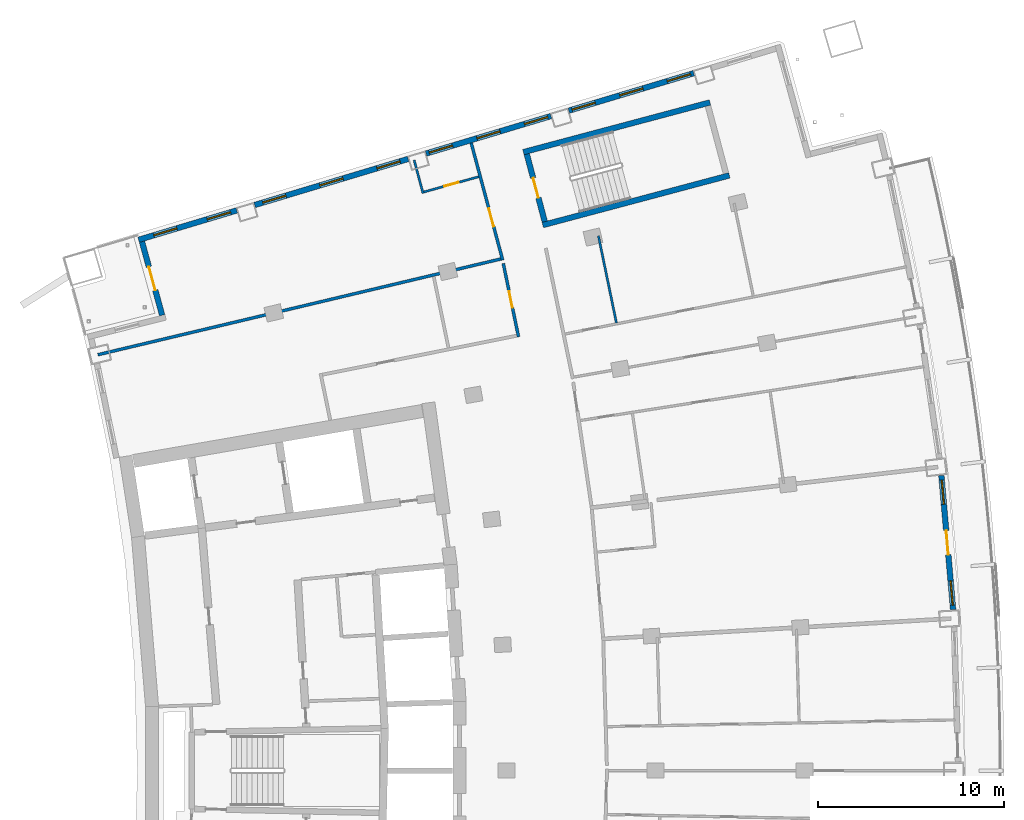
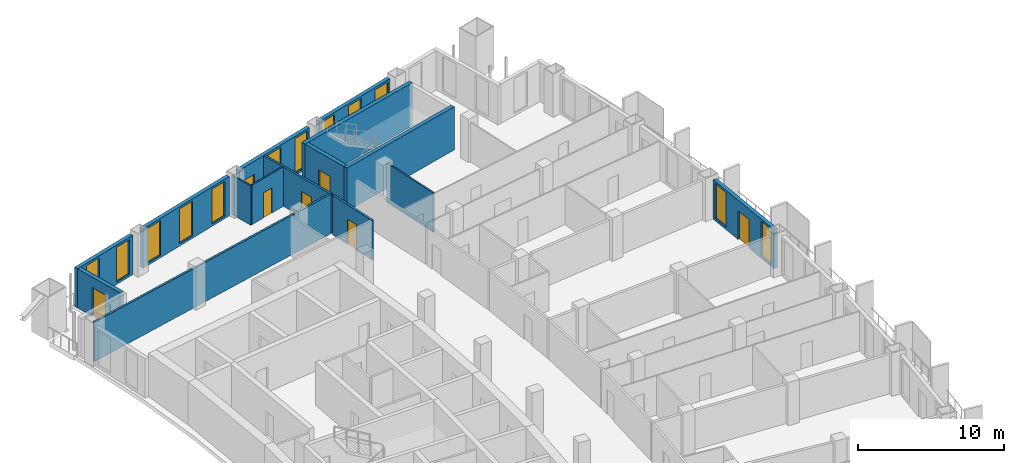
# One storey, part 15 of 20: 15 walls, 13 windows, 6 doors, 19 openings.
"""IFC4 building model written with IfcOpenShell, lengths in metres."""

from ifc_helpers import new_model, si_unit, direction, frame, frame_2d, origin, place, context, subcontext, project, spatial, rectangle, extrude, material, layer, layer_set, type_object, element, fill, save


model = new_model("IFC4")

# Units and contexts
model_context = context("Model", 3, precision=1e-05, world=origin(), true_north=direction((0.0, 1.0)))
body_context = subcontext(model_context, "Body", "Model", "MODEL_VIEW")
ifc_project = project(units=[si_unit("LENGTHUNIT", "METRE"), si_unit("AREAUNIT", "SQUARE_METRE"), si_unit("VOLUMEUNIT", "CUBIC_METRE"), si_unit("PLANEANGLEUNIT", "RADIAN"), si_unit("MASSUNIT", "GRAM", prefix="KILO")], contexts=[model_context])

# Site, building, storey
site_placement = place(None, origin())
site = spatial("IfcSite", under=ifc_project, at=site_placement, CompositionType="ELEMENT")
building_placement = place(site_placement, origin())
building = spatial("IfcBuilding", under=site, at=building_placement, Name="Alderwake Tower", CompositionType="ELEMENT")
storey_placement = place(building_placement, frame((0.0, 0.0, 153.199951171875)))
storey = spatial("IfcBuildingStorey", under=building, at=storey_placement, Name="L37", CompositionType="ELEMENT", Elevation=153.199951171875)

# Walls
ifc_material_1 = material(Name="Concrete C70/85", Category="concrete")
ifc_layer_1 = layer(ifc_material_1, 0.300048828125)
ifc_layer_set_1 = layer_set([ifc_layer_1], Name="Core wall stair enclosure 300 C70-85")
wall_type_1 = type_object("IfcWallType", Name="Core wall stair enclosure 300 C70-85", PredefinedType="SHEAR", material=ifc_layer_set_1)
for number, where, z_axis, x_axis, name in (
    (1, (36.71142578125, 94.182373046875, 0.0), (0.0, 0.0, 1.0), (0.966309214305, 0.257383958996, 0.0), "Core wall CW.082"),
    (2, (37.75390625, 90.268798828125, 0.0), (0.0, 0.0, 1.0), (0.966309214305, 0.257383958996, 0.0), "Core wall CW.084"),
):
    element("IfcWall", number, at=place(storey_placement, frame(where, z_axis=z_axis, x_axis=x_axis)), inside=storey, type_object=wall_type_1, Name=name, PredefinedType="SHEAR", context=body_context, shape_type="SweptSolid", body=[
        extrude(rectangle(XDim=10.360107421875, YDim=0.300048828125, at=frame_2d((5.18017578125, 0.0))), origin(), (0.0, 0.0, 1.0), 3.60009765625),
    ])

# Wall, opening, door
wall_1_placement = place(storey_placement, frame((37.8603515625, 90.452392578125, 0.0), z_axis=(0.0, 0.0, 1.0), x_axis=(-0.257411420208, 0.966301899381, 0.0)))
wall_1 = element("IfcWall", 3, at=wall_1_placement, inside=storey, type_object=wall_type_1, Name="Core wall CW.083", PredefinedType="SHEAR", context=body_context, shape_type="SweptSolid", body=[
    extrude(rectangle(XDim=3.750244140625, YDim=0.300048828125, at=frame_2d((1.875, 0.0))), origin(), (0.0, 0.0, 1.0), 3.60009765625),
])
opening_1_placement = place(wall_1_placement, frame((1.324951171875, 0.0, 0.0)))
opening_1 = element("IfcOpeningElement", 4, at=opening_1_placement, cuts=wall_1, Name="Opening C062", PredefinedType="OPENING", context=body_context, shape_type="SweptSolid", body=[
    extrude(rectangle(XDim=1.10009765625, YDim=2.10009765625, at=frame_2d((0.550048828125, 1.050048828125))), frame((0.0, 0.159912109375, 0.0), z_axis=(0.0, -1.0, 0.0), x_axis=(1.0, 0.0, 0.0)), (0.0, 0.0, 1.0), 0.320068359375),
])
ifc_material_2 = material(Name="Steel-framed fire door leaf", Category="steel")
door_type_1 = type_object("IfcDoorType", Name="Core stair door 1100 fire-rated", OperationType="SINGLE_SWING_LEFT", PredefinedType="DOOR", material=ifc_material_2)
door_1_placement = place(opening_1_placement, origin())
door_1 = element("IfcDoor", 5, at=door_1_placement, inside=storey, type_object=door_type_1, Name="Stair door", OperationType="SINGLE_SWING_RIGHT", OverallHeight=2.10009765625, OverallWidth=1.10009765625, PredefinedType="DOOR", context=body_context, shape_type="SweptSolid", body=[
    extrude(rectangle(XDim=1.10009765625, YDim=2.10009765625, at=frame_2d((0.550048828125, 1.050048828125))), frame((0.0, 0.02490234375, 0.0), z_axis=(0.0, -1.0, 0.0), x_axis=(1.0, 0.0, 0.0)), (0.0, 0.0, 1.0), 0.050048828125),
])
fill(opening_1, door_1)

ifc_material_3 = material(Name="Gypsum board on metal studs, rated")
ifc_layer_2 = layer(ifc_material_3, 0.159912109375)
ifc_layer_set_2 = layer_set([ifc_layer_2], Name="Corridor wall 160")
wall_type_2 = type_object("IfcWallType", Name="Corridor wall 160", PredefinedType="PARTITIONING", material=ifc_layer_set_2)
wall_2_placement = place(storey_placement, frame((35.600830078125, 88.392578125, 0.0), z_axis=(0.0, 0.0, 1.0), x_axis=(-0.259509260101, 0.965740619381, 0.0)))
wall_2 = element("IfcWall", 6, at=wall_2_placement, inside=storey, type_object=wall_type_2, Name="WL/L37/W15", PredefinedType="PARTITIONING", context=body_context, shape_type="SweptSolid", body=[
    extrude(rectangle(XDim=6.50732421875, YDim=0.159912109375, at=frame_2d((3.253662109375, 0.0))), origin(), (0.0, 0.0, 1.0), 3.280029296875),
])
opening_2_placement = place(wall_2_placement, frame((1.865478515625, 0.0, 0.0)))
opening_2 = element("IfcOpeningElement", 7, at=opening_2_placement, cuts=wall_2, Name="Opening R10-U09.1", PredefinedType="OPENING", context=body_context, shape_type="SweptSolid", body=[
    extrude(rectangle(XDim=1.0, YDim=2.10009765625, at=frame_2d((0.5, 1.050048828125))), frame((0.0, 0.08984375, 0.0), z_axis=(0.0, -1.0, 0.0), x_axis=(1.0, 0.0, 0.0)), (0.0, 0.0, 1.0), 0.179931640625),
])
ifc_material_4 = material(Name="Solid timber leaf in steel frame", Category="steel")
door_type_2 = type_object("IfcDoorType", Name="Flat entrance door 1000 fire-rated", OperationType="SINGLE_SWING_LEFT", PredefinedType="DOOR", material=ifc_material_4)
door_2_placement = place(opening_2_placement, origin())
door_2 = element("IfcDoor", 8, at=door_2_placement, inside=storey, type_object=door_type_2, Name="DR/L37/U09.1", OperationType="SINGLE_SWING_LEFT", OverallHeight=2.10009765625, OverallWidth=1.0, PredefinedType="DOOR", context=body_context, shape_type="SweptSolid", body=[
    extrude(rectangle(XDim=1.0, YDim=2.10009765625, at=frame_2d((0.5, 1.050048828125))), frame((0.0, 0.02490234375, 0.0), z_axis=(0.0, -1.0, 0.0), x_axis=(1.0, 0.0, 0.0)), (0.0, 0.0, 1.0), 0.050048828125),
])
fill(opening_2, door_2)

# Wall
wall_3_placement = place(storey_placement, frame((35.502197265625, 88.451416015625, 0.0), z_axis=(0.0, 0.0, 1.0), x_axis=(-0.972894913244, -0.231247676278, 0.0)))
element("IfcWall", 9, at=wall_3_placement, inside=storey, type_object=wall_type_2, Name="WL/L37/W17", PredefinedType="PARTITIONING", context=body_context, shape_type="SweptSolid", body=[
    extrude(rectangle(XDim=22.220458984375, YDim=0.159912109375, at=frame_2d((11.1103515625, 0.0))), origin(), (0.0, 0.0, 1.0), 3.280029296875),
])

# Wall, opening, door
wall_4_placement = place(storey_placement, frame((36.451416015625, 84.272705078125, 0.0), z_axis=(0.0, 0.0, 1.0), x_axis=(-0.203258199701, 0.979125172924, 0.0)))
wall_4 = element("IfcWall", 10, at=wall_4_placement, inside=storey, type_object=wall_type_2, Name="WL/L37/W18", PredefinedType="PARTITIONING", context=body_context, shape_type="SweptSolid", body=[
    extrude(rectangle(XDim=4.020263671875, YDim=0.159912109375, at=frame_2d((2.01025390625, 0.0))), origin(), (0.0, 0.0, 1.0), 3.280029296875),
])
opening_3_placement = place(wall_4_placement, frame((1.599609375, 0.0, 0.0)))
opening_3 = element("IfcOpeningElement", 11, at=opening_3_placement, cuts=wall_4, Name="Opening R10-SBN2", PredefinedType="OPENING", context=body_context, shape_type="SweptSolid", body=[
    extrude(rectangle(XDim=0.89990234375, YDim=2.10009765625, at=frame_2d((0.449951171875, 1.050048828125))), frame((0.0, 0.08984375, 0.0), z_axis=(0.0, -1.0, 0.0), x_axis=(1.0, 0.0, 0.0)), (0.0, 0.0, 1.0), 0.179931640625),
])
ifc_material_5 = material(Name="Painted timber leaf", Category="wood")
door_type_3 = type_object("IfcDoorType", Name="Room door 900", OperationType="SINGLE_SWING_LEFT", PredefinedType="DOOR", material=ifc_material_5)
door_3_placement = place(opening_3_placement, origin())
door_3 = element("IfcDoor", 12, at=door_3_placement, inside=storey, type_object=door_type_3, Name="DR/L37/SBN2", OperationType="SINGLE_SWING_LEFT", OverallHeight=2.10009765625, OverallWidth=0.89990234375, PredefinedType="DOOR", context=body_context, shape_type="SweptSolid", body=[
    extrude(rectangle(XDim=0.89990234375, YDim=2.10009765625, at=frame_2d((0.449951171875, 1.050048828125))), frame((0.0, 0.02490234375, 0.0), z_axis=(0.0, -1.0, 0.0), x_axis=(1.0, 0.0, 0.0)), (0.0, 0.0, 1.0), 0.050048828125),
])
fill(opening_3, door_3)

# Wall, openings, door, windows
ifc_material_6 = material(Name="Precast concrete C50/60 spandrel panel", Category="concrete")
ifc_layer_3 = layer(ifc_material_6, 0.300048828125)
ifc_layer_set_3 = layer_set([ifc_layer_3], Name="External wall EW1 Precast concrete C50/60 spandrel")
wall_type_3 = type_object("IfcWallType", Name="External wall EW1 Precast concrete C50/60 spandrel", PredefinedType="SOLIDWALL", material=ifc_layer_set_3)
wall_5_placement = place(storey_placement, frame((59.7705078125, 69.63623046875, 0.0), z_axis=(0.0, 0.0, 1.0), x_axis=(-0.087383747715, 0.996174723949, 0.0)))
wall_5 = element("IfcWall", 13, at=wall_5_placement, inside=storey, type_object=wall_type_3, Name="External wall 17", PredefinedType="SOLIDWALL", context=body_context, shape_type="SweptSolid", body=[
    extrude(rectangle(XDim=7.22216796875, YDim=0.300048828125, at=frame_2d((3.611083984375, 0.0))), origin(), (0.0, 0.0, 1.0), 3.280029296875),
])
opening_4_placement = place(wall_5_placement, frame((0.2431640625, 0.0, 0.199951171875)))
opening_4 = element("IfcOpeningElement", 14, at=opening_4_placement, cuts=wall_5, Name="Opening W1", PredefinedType="OPENING", context=body_context, shape_type="SweptSolid", body=[
    extrude(rectangle(XDim=1.300048828125, YDim=2.89990234375, at=frame_2d((0.64990234375, 1.449951171875))), frame((0.0, 0.159912109375, 0.0), z_axis=(0.0, -1.0, 0.0), x_axis=(1.0, 0.0, 0.0)), (0.0, 0.0, 1.0), 0.320068359375),
])
opening_5_placement = place(wall_5_placement, frame((2.9609375, 0.0, 0.0)))
opening_5 = element("IfcOpeningElement", 15, at=opening_5_placement, cuts=wall_5, Name="Opening D06", PredefinedType="OPENING", context=body_context, shape_type="SweptSolid", body=[
    extrude(rectangle(XDim=1.300048828125, YDim=2.39990234375, at=frame_2d((0.64990234375, 1.199951171875))), frame((0.0, 0.159912109375, 0.0), z_axis=(0.0, -1.0, 0.0), x_axis=(1.0, 0.0, 0.0)), (0.0, 0.0, 1.0), 0.320068359375),
])
opening_6_placement = place(wall_5_placement, frame((5.678955078125, 0.0, 0.199951171875)))
opening_6 = element("IfcOpeningElement", 16, at=opening_6_placement, cuts=wall_5, Name="Opening W1", PredefinedType="OPENING", context=body_context, shape_type="SweptSolid", body=[
    extrude(rectangle(XDim=1.300048828125, YDim=2.89990234375, at=frame_2d((0.64990234375, 1.449951171875))), frame((0.0, 0.159912109375, 0.0), z_axis=(0.0, -1.0, 0.0), x_axis=(1.0, 0.0, 0.0)), (0.0, 0.0, 1.0), 0.320068359375),
])
ifc_material_7 = material(Name="Bronze tinted glass in aluminium frame", Category="aluminium")
door_type_4 = type_object("IfcDoorType", Name="Balcony door BD sliding", OperationType="SLIDING_TO_LEFT", PredefinedType="DOOR", material=ifc_material_7)
door_4_placement = place(opening_5_placement, origin())
door_4 = element("IfcDoor", 17, at=door_4_placement, inside=storey, type_object=door_type_4, Name="Door D06", OperationType="SLIDING_TO_LEFT", OverallHeight=2.39990234375, OverallWidth=1.300048828125, PredefinedType="DOOR", context=body_context, shape_type="SweptSolid", body=[
    extrude(rectangle(XDim=1.300048828125, YDim=2.39990234375, at=frame_2d((0.64990234375, 1.199951171875))), frame((0.0, 0.02490234375, 0.0), z_axis=(0.0, -1.0, 0.0), x_axis=(1.0, 0.0, 0.0)), (0.0, 0.0, 1.0), 0.050048828125),
])
fill(opening_5, door_4)
ifc_material_8 = material(Name="Bronze tinted glass in aluminium frame", Category="aluminium")
window_type_1 = type_object("IfcWindowType", Name="Window W1 tall fixed and vent", PartitioningType="DOUBLE_PANEL_VERTICAL", PredefinedType="WINDOW", material=ifc_material_8)
window_1_placement = place(opening_4_placement, origin())
window_1 = element("IfcWindow", 18, at=window_1_placement, inside=storey, type_object=window_type_1, Name="Window W1 tall fixed and vent", OverallHeight=2.89990234375, OverallWidth=1.300048828125, PartitioningType="DOUBLE_PANEL_VERTICAL", PredefinedType="WINDOW", context=body_context, shape_type="SweptSolid", body=[
    extrude(rectangle(XDim=1.300048828125, YDim=2.89990234375, at=frame_2d((0.64990234375, 1.449951171875))), frame((0.0, 0.030029296875, 0.0), z_axis=(0.0, -1.0, 0.0), x_axis=(1.0, 0.0, 0.0)), (0.0, 0.0, 1.0), 0.06005859375),
])
fill(opening_4, window_1)
window_2_placement = place(opening_6_placement, origin())
window_2 = element("IfcWindow", 19, at=window_2_placement, inside=storey, type_object=window_type_1, Name="Window W1 tall fixed and vent", OverallHeight=2.89990234375, OverallWidth=1.300048828125, PartitioningType="DOUBLE_PANEL_VERTICAL", PredefinedType="WINDOW", context=body_context, shape_type="SweptSolid", body=[
    extrude(rectangle(XDim=1.300048828125, YDim=2.89990234375, at=frame_2d((0.64990234375, 1.449951171875))), frame((0.0, 0.030029296875, 0.0), z_axis=(0.0, -1.0, 0.0), x_axis=(1.0, 0.0, 0.0)), (0.0, 0.0, 1.0), 0.06005859375),
])
fill(opening_6, window_2)

# Wall, openings, windows
ifc_material_9 = material(Name="Bronze metal cladding on lightweight framing")
ifc_layer_4 = layer(ifc_material_9, 0.300048828125)
ifc_layer_set_4 = layer_set([ifc_layer_4], Name="External wall EW2 bronze metal cladding")
wall_type_4 = type_object("IfcWallType", Name="External wall EW2 bronze metal cladding", PredefinedType="SOLIDWALL", material=ifc_layer_set_4)
wall_6_placement = place(storey_placement, frame((45.852294921875, 98.4189453125, 0.0), z_axis=(0.0, 0.0, 1.0), x_axis=(-0.957766716661, -0.287546372706, 0.0)))
wall_6 = element("IfcWall", 20, at=wall_6_placement, inside=storey, type_object=wall_type_4, Name="External wall 24", PredefinedType="SOLIDWALL", context=body_context, shape_type="SweptSolid", body=[
    extrude(rectangle(XDim=6.99609375, YDim=0.300048828125, at=frame_2d((3.498046875, 0.0))), origin(), (0.0, 0.0, 1.0), 3.280029296875),
])
opening_7_placement = place(wall_6_placement, frame((0.181396484375, 0.0, 0.199951171875)))
opening_7 = element("IfcOpeningElement", 21, at=opening_7_placement, cuts=wall_6, Name="Opening W1", PredefinedType="OPENING", context=body_context, shape_type="SweptSolid", body=[
    extrude(rectangle(XDim=1.300048828125, YDim=2.89990234375, at=frame_2d((0.64990234375, 1.449951171875))), frame((0.0, 0.159912109375, 0.0), z_axis=(0.0, -1.0, 0.0), x_axis=(1.0, 0.0, 0.0)), (0.0, 0.0, 1.0), 0.320068359375),
])
opening_8_placement = place(wall_6_placement, frame((2.84814453125, 0.0, 0.199951171875)))
opening_8 = element("IfcOpeningElement", 22, at=opening_8_placement, cuts=wall_6, Name="Opening W1", PredefinedType="OPENING", context=body_context, shape_type="SweptSolid", body=[
    extrude(rectangle(XDim=1.300048828125, YDim=2.89990234375, at=frame_2d((0.64990234375, 1.449951171875))), frame((0.0, 0.159912109375, 0.0), z_axis=(0.0, -1.0, 0.0), x_axis=(1.0, 0.0, 0.0)), (0.0, 0.0, 1.0), 0.320068359375),
])
opening_9_placement = place(wall_6_placement, frame((5.514892578125, 0.0, 0.199951171875)))
opening_9 = element("IfcOpeningElement", 23, at=opening_9_placement, cuts=wall_6, Name="Opening W1", PredefinedType="OPENING", context=body_context, shape_type="SweptSolid", body=[
    extrude(rectangle(XDim=1.300048828125, YDim=2.89990234375, at=frame_2d((0.64990234375, 1.449951171875))), frame((0.0, 0.159912109375, 0.0), z_axis=(0.0, -1.0, 0.0), x_axis=(1.0, 0.0, 0.0)), (0.0, 0.0, 1.0), 0.320068359375),
])
window_3_placement = place(opening_7_placement, origin())
window_3 = element("IfcWindow", 24, at=window_3_placement, inside=storey, type_object=window_type_1, Name="Window W1 tall fixed and vent", OverallHeight=2.89990234375, OverallWidth=1.300048828125, PartitioningType="DOUBLE_PANEL_VERTICAL", PredefinedType="WINDOW", context=body_context, shape_type="SweptSolid", body=[
    extrude(rectangle(XDim=1.300048828125, YDim=2.89990234375, at=frame_2d((0.64990234375, 1.449951171875))), frame((0.0, 0.030029296875, 0.0), z_axis=(0.0, -1.0, 0.0), x_axis=(1.0, 0.0, 0.0)), (0.0, 0.0, 1.0), 0.06005859375),
])
fill(opening_7, window_3)
window_4_placement = place(opening_8_placement, origin())
window_4 = element("IfcWindow", 25, at=window_4_placement, inside=storey, type_object=window_type_1, Name="Window W1 tall fixed and vent", OverallHeight=2.89990234375, OverallWidth=1.300048828125, PartitioningType="DOUBLE_PANEL_VERTICAL", PredefinedType="WINDOW", context=body_context, shape_type="SweptSolid", body=[
    extrude(rectangle(XDim=1.300048828125, YDim=2.89990234375, at=frame_2d((0.64990234375, 1.449951171875))), frame((0.0, 0.030029296875, 0.0), z_axis=(0.0, -1.0, 0.0), x_axis=(1.0, 0.0, 0.0)), (0.0, 0.0, 1.0), 0.06005859375),
])
fill(opening_8, window_4)
window_5_placement = place(opening_9_placement, origin())
window_5 = element("IfcWindow", 26, at=window_5_placement, inside=storey, type_object=window_type_1, Name="Window W1 tall fixed and vent", OverallHeight=2.89990234375, OverallWidth=1.300048828125, PartitioningType="DOUBLE_PANEL_VERTICAL", PredefinedType="WINDOW", context=body_context, shape_type="SweptSolid", body=[
    extrude(rectangle(XDim=1.300048828125, YDim=2.89990234375, at=frame_2d((0.64990234375, 1.449951171875))), frame((0.0, 0.030029296875, 0.0), z_axis=(0.0, -1.0, 0.0), x_axis=(1.0, 0.0, 0.0)), (0.0, 0.0, 1.0), 0.06005859375),
])
fill(opening_9, window_5)

wall_7_placement = place(storey_placement, frame((38.18994140625, 96.11865234375, 0.0), z_axis=(0.0, 0.0, 1.0), x_axis=(-0.957757105671, -0.287578383292, 0.0)))
wall_7 = element("IfcWall", 27, at=wall_7_placement, inside=storey, type_object=wall_type_4, Name="External wall 25", PredefinedType="SOLIDWALL", context=body_context, shape_type="SweptSolid", body=[
    extrude(rectangle(XDim=6.996337890625, YDim=0.300048828125, at=frame_2d((3.498046875, 0.0))), origin(), (0.0, 0.0, 1.0), 3.280029296875),
])
opening_10_placement = place(wall_7_placement, frame((0.181396484375, 0.0, 0.199951171875)))
opening_10 = element("IfcOpeningElement", 28, at=opening_10_placement, cuts=wall_7, Name="Opening W1", PredefinedType="OPENING", context=body_context, shape_type="SweptSolid", body=[
    extrude(rectangle(XDim=1.300048828125, YDim=2.89990234375, at=frame_2d((0.64990234375, 1.449951171875))), frame((0.0, 0.159912109375, 0.0), z_axis=(0.0, -1.0, 0.0), x_axis=(1.0, 0.0, 0.0)), (0.0, 0.0, 1.0), 0.320068359375),
])
opening_11_placement = place(wall_7_placement, frame((2.84814453125, 0.0, 0.199951171875)))
opening_11 = element("IfcOpeningElement", 29, at=opening_11_placement, cuts=wall_7, Name="Opening W1", PredefinedType="OPENING", context=body_context, shape_type="SweptSolid", body=[
    extrude(rectangle(XDim=1.300048828125, YDim=2.89990234375, at=frame_2d((0.64990234375, 1.449951171875))), frame((0.0, 0.159912109375, 0.0), z_axis=(0.0, -1.0, 0.0), x_axis=(1.0, 0.0, 0.0)), (0.0, 0.0, 1.0), 0.320068359375),
])
opening_12_placement = place(wall_7_placement, frame((5.514892578125, 0.0, 1.0)))
opening_12 = element("IfcOpeningElement", 30, at=opening_12_placement, cuts=wall_7, Name="Opening W2", PredefinedType="OPENING", context=body_context, shape_type="SweptSolid", body=[
    extrude(rectangle(XDim=1.300048828125, YDim=1.199951171875, at=frame_2d((0.64990234375, 0.60009765625))), frame((0.0, 0.159912109375, 0.0), z_axis=(0.0, -1.0, 0.0), x_axis=(1.0, 0.0, 0.0)), (0.0, 0.0, 1.0), 0.320068359375),
])
window_6_placement = place(opening_10_placement, origin())
window_6 = element("IfcWindow", 31, at=window_6_placement, inside=storey, type_object=window_type_1, Name="Window W1 tall fixed and vent", OverallHeight=2.89990234375, OverallWidth=1.300048828125, PartitioningType="DOUBLE_PANEL_VERTICAL", PredefinedType="WINDOW", context=body_context, shape_type="SweptSolid", body=[
    extrude(rectangle(XDim=1.300048828125, YDim=2.89990234375, at=frame_2d((0.64990234375, 1.449951171875))), frame((0.0, 0.030029296875, 0.0), z_axis=(0.0, -1.0, 0.0), x_axis=(1.0, 0.0, 0.0)), (0.0, 0.0, 1.0), 0.06005859375),
])
fill(opening_10, window_6)
window_7_placement = place(opening_11_placement, origin())
window_7 = element("IfcWindow", 32, at=window_7_placement, inside=storey, type_object=window_type_1, Name="Window W1 tall fixed and vent", OverallHeight=2.89990234375, OverallWidth=1.300048828125, PartitioningType="DOUBLE_PANEL_VERTICAL", PredefinedType="WINDOW", context=body_context, shape_type="SweptSolid", body=[
    extrude(rectangle(XDim=1.300048828125, YDim=2.89990234375, at=frame_2d((0.64990234375, 1.449951171875))), frame((0.0, 0.030029296875, 0.0), z_axis=(0.0, -1.0, 0.0), x_axis=(1.0, 0.0, 0.0)), (0.0, 0.0, 1.0), 0.06005859375),
])
fill(opening_11, window_7)
ifc_material_10 = material(Name="Bronze tinted glass in aluminium frame", Category="aluminium")
window_type_2 = type_object("IfcWindowType", Name="Window W2 kitchen and bath", PartitioningType="SINGLE_PANEL", PredefinedType="WINDOW", material=ifc_material_10)
window_8_placement = place(opening_12_placement, origin())
window_8 = element("IfcWindow", 33, at=window_8_placement, inside=storey, type_object=window_type_2, Name="Window W2 kitchen and bath", OverallHeight=1.199951171875, OverallWidth=1.300048828125, PartitioningType="SINGLE_PANEL", PredefinedType="WINDOW", context=body_context, shape_type="SweptSolid", body=[
    extrude(rectangle(XDim=1.300048828125, YDim=1.199951171875, at=frame_2d((0.64990234375, 0.60009765625))), frame((0.0, 0.030029296875, 0.0), z_axis=(0.0, -1.0, 0.0), x_axis=(1.0, 0.0, 0.0)), (0.0, 0.0, 1.0), 0.06005859375),
])
fill(opening_12, window_8)

wall_8_placement = place(storey_placement, frame((30.527587890625, 93.818115234375, 0.0), z_axis=(0.0, 0.0, 1.0), x_axis=(-0.957768419769, -0.287540699891, 0.0)))
wall_8 = element("IfcWall", 34, at=wall_8_placement, inside=storey, type_object=wall_type_4, Name="External wall 26", PredefinedType="SOLIDWALL", context=body_context, shape_type="SweptSolid", body=[
    extrude(rectangle(XDim=8.595947265625, YDim=0.300048828125, at=frame_2d((4.2978515625, 0.0))), origin(), (0.0, 0.0, 1.0), 3.280029296875),
])
opening_13_placement = place(wall_8_placement, frame((0.447998046875, 0.0, 0.199951171875)))
opening_13 = element("IfcOpeningElement", 35, at=opening_13_placement, cuts=wall_8, Name="Opening W1", PredefinedType="OPENING", context=body_context, shape_type="SweptSolid", body=[
    extrude(rectangle(XDim=1.300048828125, YDim=2.89990234375, at=frame_2d((0.64990234375, 1.449951171875))), frame((0.0, 0.159912109375, 0.0), z_axis=(0.0, -1.0, 0.0), x_axis=(1.0, 0.0, 0.0)), (0.0, 0.0, 1.0), 0.320068359375),
])
opening_14_placement = place(wall_8_placement, frame((3.64794921875, 0.0, 0.199951171875)))
opening_14 = element("IfcOpeningElement", 36, at=opening_14_placement, cuts=wall_8, Name="Opening W1", PredefinedType="OPENING", context=body_context, shape_type="SweptSolid", body=[
    extrude(rectangle(XDim=1.300048828125, YDim=2.89990234375, at=frame_2d((0.64990234375, 1.449951171875))), frame((0.0, 0.159912109375, 0.0), z_axis=(0.0, -1.0, 0.0), x_axis=(1.0, 0.0, 0.0)), (0.0, 0.0, 1.0), 0.320068359375),
])
opening_15_placement = place(wall_8_placement, frame((6.84814453125, 0.0, 0.199951171875)))
opening_15 = element("IfcOpeningElement", 37, at=opening_15_placement, cuts=wall_8, Name="Opening W1", PredefinedType="OPENING", context=body_context, shape_type="SweptSolid", body=[
    extrude(rectangle(XDim=1.300048828125, YDim=2.89990234375, at=frame_2d((0.64990234375, 1.449951171875))), frame((0.0, 0.159912109375, 0.0), z_axis=(0.0, -1.0, 0.0), x_axis=(1.0, 0.0, 0.0)), (0.0, 0.0, 1.0), 0.320068359375),
])
window_9_placement = place(opening_13_placement, origin())
window_9 = element("IfcWindow", 38, at=window_9_placement, inside=storey, type_object=window_type_1, Name="Window W1 tall fixed and vent", OverallHeight=2.89990234375, OverallWidth=1.300048828125, PartitioningType="DOUBLE_PANEL_VERTICAL", PredefinedType="WINDOW", context=body_context, shape_type="SweptSolid", body=[
    extrude(rectangle(XDim=1.300048828125, YDim=2.89990234375, at=frame_2d((0.64990234375, 1.449951171875))), frame((0.0, 0.030029296875, 0.0), z_axis=(0.0, -1.0, 0.0), x_axis=(1.0, 0.0, 0.0)), (0.0, 0.0, 1.0), 0.06005859375),
])
fill(opening_13, window_9)
window_10_placement = place(opening_14_placement, origin())
window_10 = element("IfcWindow", 39, at=window_10_placement, inside=storey, type_object=window_type_1, Name="Window W1 tall fixed and vent", OverallHeight=2.89990234375, OverallWidth=1.300048828125, PartitioningType="DOUBLE_PANEL_VERTICAL", PredefinedType="WINDOW", context=body_context, shape_type="SweptSolid", body=[
    extrude(rectangle(XDim=1.300048828125, YDim=2.89990234375, at=frame_2d((0.64990234375, 1.449951171875))), frame((0.0, 0.030029296875, 0.0), z_axis=(0.0, -1.0, 0.0), x_axis=(1.0, 0.0, 0.0)), (0.0, 0.0, 1.0), 0.06005859375),
])
fill(opening_14, window_10)
window_11_placement = place(opening_15_placement, origin())
window_11 = element("IfcWindow", 40, at=window_11_placement, inside=storey, type_object=window_type_1, Name="Window W1 tall fixed and vent", OverallHeight=2.89990234375, OverallWidth=1.300048828125, PartitioningType="DOUBLE_PANEL_VERTICAL", PredefinedType="WINDOW", context=body_context, shape_type="SweptSolid", body=[
    extrude(rectangle(XDim=1.300048828125, YDim=2.89990234375, at=frame_2d((0.64990234375, 1.449951171875))), frame((0.0, 0.030029296875, 0.0), z_axis=(0.0, -1.0, 0.0), x_axis=(1.0, 0.0, 0.0)), (0.0, 0.0, 1.0), 0.06005859375),
])
fill(opening_15, window_11)

wall_9_placement = place(storey_placement, frame((21.332763671875, 91.0576171875, 0.0), z_axis=(0.0, 0.0, 1.0), x_axis=(-0.957767615614, -0.287543378434, 0.0)))
wall_9 = element("IfcWall", 41, at=wall_9_placement, inside=storey, type_object=wall_type_4, Name="External wall 27", PredefinedType="SOLIDWALL", context=body_context, shape_type="SweptSolid", body=[
    extrude(rectangle(XDim=5.499267578125, YDim=0.300048828125, at=frame_2d((2.74951171875, 0.0))), origin(), (0.0, 0.0, 1.0), 3.280029296875),
])
opening_16_placement = place(wall_9_placement, frame((0.34814453125, 0.0, 0.199951171875)))
opening_16 = element("IfcOpeningElement", 42, at=opening_16_placement, cuts=wall_9, Name="Opening W1", PredefinedType="OPENING", context=body_context, shape_type="SweptSolid", body=[
    extrude(rectangle(XDim=1.300048828125, YDim=2.89990234375, at=frame_2d((0.64990234375, 1.449951171875))), frame((0.0, 0.159912109375, 0.0), z_axis=(0.0, -1.0, 0.0), x_axis=(1.0, 0.0, 0.0)), (0.0, 0.0, 1.0), 0.320068359375),
])
opening_17_placement = place(wall_9_placement, frame((3.34912109375, 0.0, 0.199951171875)))
opening_17 = element("IfcOpeningElement", 43, at=opening_17_placement, cuts=wall_9, Name="Opening W1", PredefinedType="OPENING", context=body_context, shape_type="SweptSolid", body=[
    extrude(rectangle(XDim=1.300048828125, YDim=2.89990234375, at=frame_2d((0.64990234375, 1.449951171875))), frame((0.0, 0.159912109375, 0.0), z_axis=(0.0, -1.0, 0.0), x_axis=(1.0, 0.0, 0.0)), (0.0, 0.0, 1.0), 0.320068359375),
])
window_12_placement = place(opening_16_placement, origin())
window_12 = element("IfcWindow", 44, at=window_12_placement, inside=storey, type_object=window_type_1, Name="Window W1 tall fixed and vent", OverallHeight=2.89990234375, OverallWidth=1.300048828125, PartitioningType="DOUBLE_PANEL_VERTICAL", PredefinedType="WINDOW", context=body_context, shape_type="SweptSolid", body=[
    extrude(rectangle(XDim=1.300048828125, YDim=2.89990234375, at=frame_2d((0.64990234375, 1.449951171875))), frame((0.0, 0.030029296875, 0.0), z_axis=(0.0, -1.0, 0.0), x_axis=(1.0, 0.0, 0.0)), (0.0, 0.0, 1.0), 0.06005859375),
])
fill(opening_16, window_12)
window_13_placement = place(opening_17_placement, origin())
window_13 = element("IfcWindow", 45, at=window_13_placement, inside=storey, type_object=window_type_1, Name="Window W1 tall fixed and vent", OverallHeight=2.89990234375, OverallWidth=1.300048828125, PartitioningType="DOUBLE_PANEL_VERTICAL", PredefinedType="WINDOW", context=body_context, shape_type="SweptSolid", body=[
    extrude(rectangle(XDim=1.300048828125, YDim=2.89990234375, at=frame_2d((0.64990234375, 1.449951171875))), frame((0.0, 0.030029296875, 0.0), z_axis=(0.0, -1.0, 0.0), x_axis=(1.0, 0.0, 0.0)), (0.0, 0.0, 1.0), 0.06005859375),
])
fill(opening_17, window_13)

# Wall, opening, door
wall_10_placement = place(storey_placement, frame((16.248779296875, 89.374755859375, 0.0), z_axis=(0.0, 0.0, 1.0), x_axis=(0.264607053468, -0.964356317579, 0.0)))
wall_10 = element("IfcWall", 46, at=wall_10_placement, inside=storey, type_object=wall_type_4, Name="External wall 28", PredefinedType="SOLIDWALL", context=body_context, shape_type="SweptSolid", body=[
    extrude(rectangle(XDim=4.090087890625, YDim=0.300048828125, at=frame_2d((2.044921875, 0.0))), origin(), (0.0, 0.0, 1.0), 3.280029296875),
])
opening_18_placement = place(wall_10_placement, frame((1.39501953125, 0.0, 0.0)))
opening_18 = element("IfcOpeningElement", 47, at=opening_18_placement, cuts=wall_10, Name="Opening D09", PredefinedType="OPENING", context=body_context, shape_type="SweptSolid", body=[
    extrude(rectangle(XDim=1.300048828125, YDim=2.39990234375, at=frame_2d((0.64990234375, 1.199951171875))), frame((0.0, 0.159912109375, 0.0), z_axis=(0.0, -1.0, 0.0), x_axis=(1.0, 0.0, 0.0)), (0.0, 0.0, 1.0), 0.320068359375),
])
door_5_placement = place(opening_18_placement, origin())
door_5 = element("IfcDoor", 48, at=door_5_placement, inside=storey, type_object=door_type_4, Name="Door D09", OperationType="SLIDING_TO_LEFT", OverallHeight=2.39990234375, OverallWidth=1.300048828125, PredefinedType="DOOR", context=body_context, shape_type="SweptSolid", body=[
    extrude(rectangle(XDim=1.300048828125, YDim=2.39990234375, at=frame_2d((0.64990234375, 1.199951171875))), frame((0.0, 0.02490234375, 0.0), z_axis=(0.0, -1.0, 0.0), x_axis=(1.0, 0.0, 0.0)), (0.0, 0.0, 1.0), 0.050048828125),
])
fill(opening_18, door_5)

# Wall
ifc_material_11 = material(Name="Moisture resistant gypsum board on metal studs")
ifc_layer_5 = layer(ifc_material_11, 0.1201171875)
ifc_layer_set_5 = layer_set([ifc_layer_5], Name="Wet room partition 120")
wall_type_5 = type_object("IfcWallType", Name="Wet room partition 120", PredefinedType="PARTITIONING", material=ifc_layer_set_5)
wall_11_placement = place(storey_placement, frame((30.84912109375, 93.759033203125, 0.0), z_axis=(0.0, 0.0, 1.0), x_axis=(0.259401464702, -0.965769579201, 0.0)))
element("IfcWall", 49, at=wall_11_placement, inside=storey, type_object=wall_type_5, Name="WL/L37/W30", PredefinedType="PARTITIONING", context=body_context, shape_type="SweptSolid", body=[
    extrude(rectangle(XDim=1.852294921875, YDim=0.1201171875, at=frame_2d((0.92626953125, 0.0))), origin(), (0.0, 0.0, 1.0), 3.280029296875),
])

# Wall, opening, door
wall_12_placement = place(storey_placement, frame((31.371826171875, 92.044189453125, 0.0), z_axis=(0.0, 0.0, 1.0), x_axis=(0.963351881246, 0.268240848677, 0.0)))
wall_12 = element("IfcWall", 50, at=wall_12_placement, inside=storey, type_object=wall_type_5, Name="WL/L37/W32", PredefinedType="PARTITIONING", context=body_context, shape_type="SweptSolid", body=[
    extrude(rectangle(XDim=3.05810546875, YDim=0.1201171875, at=frame_2d((1.529052734375, 0.0))), origin(), (0.0, 0.0, 1.0), 3.280029296875),
])
opening_19_placement = place(wall_12_placement, frame((1.129150390625, 0.0, 0.0)))
opening_19 = element("IfcOpeningElement", 51, at=opening_19_placement, cuts=wall_12, Name="Opening R10-U09.2", PredefinedType="OPENING", context=body_context, shape_type="SweptSolid", body=[
    extrude(rectangle(XDim=0.800048828125, YDim=2.10009765625, at=frame_2d((0.39990234375, 1.050048828125))), frame((0.0, 0.070068359375, 0.0), z_axis=(0.0, -1.0, 0.0), x_axis=(1.0, 0.0, 0.0)), (0.0, 0.0, 1.0), 0.14013671875),
])
ifc_material_12 = material(Name="Painted timber leaf", Category="wood")
door_type_5 = type_object("IfcDoorType", Name="Bathroom door 800", OperationType="SINGLE_SWING_LEFT", PredefinedType="DOOR", material=ifc_material_12)
door_6_placement = place(opening_19_placement, origin())
door_6 = element("IfcDoor", 52, at=door_6_placement, inside=storey, type_object=door_type_5, Name="DR/L37/U09.2", OperationType="SINGLE_SWING_LEFT", OverallHeight=2.10009765625, OverallWidth=0.800048828125, PredefinedType="DOOR", context=body_context, shape_type="SweptSolid", body=[
    extrude(rectangle(XDim=0.800048828125, YDim=2.10009765625, at=frame_2d((0.39990234375, 1.050048828125))), frame((0.0, 0.02490234375, 0.0), z_axis=(0.0, -1.0, 0.0), x_axis=(1.0, 0.0, 0.0)), (0.0, 0.0, 1.0), 0.050048828125),
])
fill(opening_19, door_6)

# Wall
wall_13_placement = place(storey_placement, frame((41.704833984375, 85.01806640625, 0.0), z_axis=(0.0, 0.0, 1.0), x_axis=(-0.202669848328, 0.979247125387, 0.0)))
element("IfcWall", 53, at=wall_13_placement, inside=storey, type_object=wall_type_5, Name="WL/L37/W35", PredefinedType="PARTITIONING", context=body_context, shape_type="SweptSolid", body=[
    extrude(rectangle(XDim=4.775146484375, YDim=0.1201171875, at=frame_2d((2.3876953125, 0.0))), origin(), (0.0, 0.0, 1.0), 3.280029296875),
])

save(model, "model.ifc")
